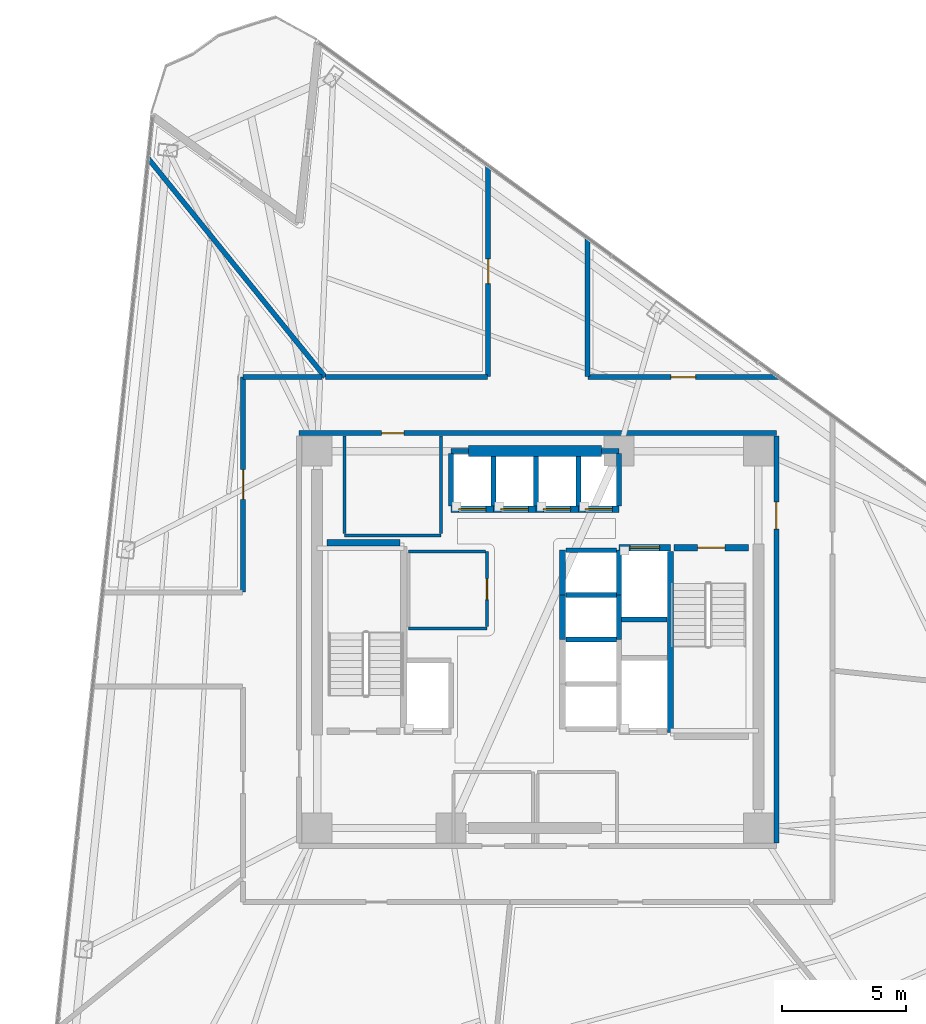
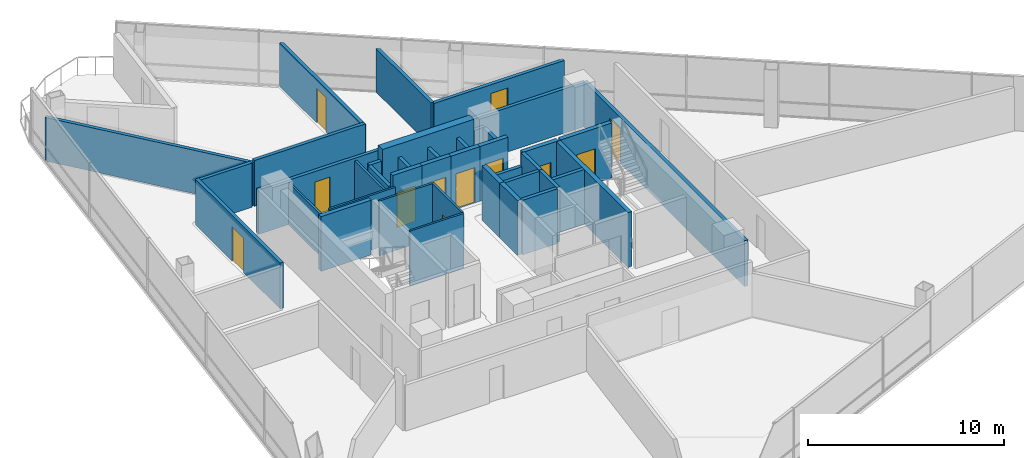
# One storey, part 12 of 17: 39 walls, 12 doors, 12 openings.
"""IFC4 building model written with IfcOpenShell, lengths in metres."""

import ifcopenshell
import ifcopenshell.guid

model = None  # the IFC model being written
_history = None  # IfcOwnerHistory: only IFC2X3 demands one
_inside = {}  # id of a spatial element -> (the spatial element, [elements in it])
_under = {}  # id of a project, library or spatial element -> (it, [spatial elements below it])
_declared = {}  # id of a project -> (the project, [libraries it declares])
_typed = {}  # id of a type object -> (the type object, [elements of that type])
_made_of = {}  # id of a material, layer set ... -> (it, [elements and type objects made of it])


def new_model(schema):
    """Start an empty IFC model of exactly this schema.

    Asked for "IFC4X3", IfcOpenShell would pick the latest addendum, in which some entities
    have other attributes; the version numbers below select the first issue.
    IFC2X3 requires an IfcOwnerHistory on every rooted entity: one is made here for all.
    """
    global model, _history
    if schema == "IFC4X3":
        model = ifcopenshell.file(schema_version=(4, 3, 0, 0))
    else:
        model = ifcopenshell.file(schema=schema)
    _inside.clear()
    _under.clear()
    _declared.clear()
    _typed.clear()
    _made_of.clear()
    _history = None
    if model.schema == "IFC2X3":
        org = make("IfcOrganization", Name="unknown")
        user = make(
            "IfcPersonAndOrganization",
            ThePerson=make("IfcPerson", FamilyName="unknown"),
            TheOrganization=org,
        )
        app = make(
            "IfcApplication",
            ApplicationDeveloper=org,
            Version="unknown",
            ApplicationFullName="unknown",
            ApplicationIdentifier="unknown",
        )
        _history = make(
            "IfcOwnerHistory",
            OwningUser=user,
            OwningApplication=app,
            ChangeAction="ADDED",
            CreationDate=0,
        )
    return model


def make(cls, **values):
    """One entity of the class cls with the attributes given. An attribute that is None is left unset."""
    return model.create_entity(
        cls, **{name: value for name, value in values.items() if value is not None}
    )


def rooted(cls, **values):
    """An entity with a GlobalId (a new one), such as an element, a storey or a relation."""
    return make(cls, GlobalId=ifcopenshell.guid.new(), OwnerHistory=_history, **values)


def si_unit(unit_type, name, prefix=None):
    """IfcSIUnit, for example si_unit("LENGTHUNIT", "METRE", prefix="MILLI")."""
    return make("IfcSIUnit", UnitType=unit_type, Prefix=prefix, Name=name)


def assignment(units):
    """IfcUnitAssignment: the units of a project."""
    return None if units is None else make("IfcUnitAssignment", Units=units)


def point(xyz):
    """IfcCartesianPoint."""
    return None if xyz is None else make("IfcCartesianPoint", Coordinates=xyz)


def direction(xyz):
    """IfcDirection."""
    return None if xyz is None else make("IfcDirection", DirectionRatios=xyz)


def frame(location, z_axis=None, x_axis=None):
    """IfcAxis2Placement3D, a coordinate frame: its origin and axes. An axis left out is left unset."""
    return make(
        "IfcAxis2Placement3D",
        Location=point(location),
        Axis=direction(z_axis),
        RefDirection=direction(x_axis),
    )


def frame_2d(location, x_axis=None):
    """IfcAxis2Placement2D, a coordinate frame in the plane: its origin and x axis."""
    return make(
        "IfcAxis2Placement2D", Location=point(location), RefDirection=direction(x_axis)
    )


def origin():
    """The frame at (0, 0, 0) with its axes left unset."""
    return frame((0.0, 0.0, 0.0))


def place(relative_to, where):
    """IfcLocalPlacement: puts the frame where relative to a parent placement (None: the world)."""
    return make(
        "IfcLocalPlacement", PlacementRelTo=relative_to, RelativePlacement=where
    )


def context(
    kind, dimensions, precision=None, world=None, true_north=None, identifier=None
):
    """IfcGeometricRepresentationContext, for example the 3D "Model" context."""
    return make(
        "IfcGeometricRepresentationContext",
        ContextIdentifier=identifier,
        ContextType=kind,
        CoordinateSpaceDimension=dimensions,
        Precision=precision,
        WorldCoordinateSystem=world,
        TrueNorth=true_north,
    )


def subcontext(parent, identifier, kind, view, scale=None):
    """IfcGeometricRepresentationSubContext, for example "Body" below "Model"."""
    return make(
        "IfcGeometricRepresentationSubContext",
        ContextIdentifier=identifier,
        ContextType=kind,
        ParentContext=parent,
        TargetScale=scale,
        TargetView=view,
    )


def project(units=None, contexts=None):
    """IfcProject with its units and contexts."""
    return rooted(
        "IfcProject",
        Name="project",
        RepresentationContexts=contexts,
        UnitsInContext=assignment(units),
    )


def spatial(cls, under=None, at=None, **own):
    """A site, building, storey or space (cls), placed at a placement, below another one or the project."""
    s = rooted(cls, ObjectPlacement=at, **own)
    if under is not None:
        _under.setdefault(under.id(), (under, []))[1].append(s)
    return s


def profile(cls, at=None, kind="AREA", **sizes):
    """A parametric profile (cls). Its sizes go by their IFC names, for example OverallWidth=200.0."""
    return make(cls, ProfileType=kind, Position=at, **sizes)


def rectangle(**sizes):
    """IfcRectangleProfileDef."""
    return profile("IfcRectangleProfileDef", **sizes)


def extrude(swept, where, along, depth):
    """IfcExtrudedAreaSolid: the profile swept, set in the frame where, extruded along a direction by depth."""
    return make(
        "IfcExtrudedAreaSolid",
        SweptArea=swept,
        Position=where,
        ExtrudedDirection=direction(along),
        Depth=depth,
    )


def shape(context_of_items, identifier, shape_type, items):
    """IfcShapeRepresentation: the items that make up one representation, for example the "Body"."""
    return make(
        "IfcShapeRepresentation",
        ContextOfItems=context_of_items,
        RepresentationIdentifier=identifier,
        RepresentationType=shape_type,
        Items=items,
    )


def material(Name=None, Category=None):
    """IfcMaterial."""
    return make("IfcMaterial", Name=Name, Category=Category)


def layer(
    of_material, thickness, ventilated=None, Name=None, Category=None, Priority=None
):
    """IfcMaterialLayer: one layer of a wall or slab, of a material (None: an air gap)."""
    return make(
        "IfcMaterialLayer",
        Material=of_material,
        LayerThickness=thickness,
        IsVentilated=ventilated,
        Name=Name,
        Category=Category,
        Priority=Priority,
    )


def layer_set(layers, Name=None):
    """IfcMaterialLayerSet."""
    return make("IfcMaterialLayerSet", MaterialLayers=layers, LayerSetName=Name)


def made_of(thing, what):
    """Note that an element or type object is made of a material, layer set ...; save() writes the relation."""
    if what is not None:
        _made_of.setdefault(what.id(), (what, []))[1].append(thing)
    return thing


def type_object(cls, material=None, **own):
    """A type object (cls), such as IfcWallType, which elements share."""
    return made_of(rooted(cls, **own), material)


def element(
    cls,
    number,
    at=None,
    inside=None,
    cuts=None,
    type_object=None,
    material=None,
    context=None,
    identifier="Body",
    shape_type=None,
    held_by="IfcProductDefinitionShape",
    body=None,
    shapes=None,
    **own,
):
    """One element of the class cls, such as IfcWall. Its Tag is "e" and its number.

    at: its placement. inside: the storey or other place that contains it. cuts: it is an
    opening in that element (IfcRelVoidsElement). A single representation is given by context,
    identifier, shape_type and body (its items); several are given by shapes. held_by: the class
    of the entity that holds the representations. save() writes the other relations.
    """
    e = rooted(cls, Tag="e%d" % number, ObjectPlacement=at, **own)
    if body is not None:
        shapes = [shape(context, identifier, shape_type, body)]
    if shapes is not None:
        e.Representation = make(held_by, Representations=shapes)
    if inside is not None:
        _inside.setdefault(inside.id(), (inside, []))[1].append(e)
    if cuts is not None:
        rooted(
            "IfcRelVoidsElement", RelatingBuildingElement=cuts, RelatedOpeningElement=e
        )
    if type_object is not None:
        _typed.setdefault(type_object.id(), (type_object, []))[1].append(e)
    return made_of(e, material)


def fill(opening, filler):
    """IfcRelFillsElement: the door or window that sits in an opening."""
    return rooted(
        "IfcRelFillsElement",
        RelatingOpeningElement=opening,
        RelatedBuildingElement=filler,
    )


def aggregate(whole, parts):
    """IfcRelAggregates: a whole, such as a stair, and the parts it consists of."""
    return rooted("IfcRelAggregates", RelatingObject=whole, RelatedObjects=parts)


def save(model, path):
    """Write the relations noted so far, then the file.

    IfcRelAggregates (storeys below a building ...), IfcRelContainedInSpatialStructure (elements
    in a storey), IfcRelDefinesByType, IfcRelAssociatesMaterial and IfcRelDeclares: one each for
    every whole, place, type object, material and project.
    """
    for whole, parts in _under.values():
        aggregate(whole, parts)
    for where, things in _inside.values():
        rooted(
            "IfcRelContainedInSpatialStructure",
            RelatedElements=things,
            RelatingStructure=where,
        )
    for kind, things in _typed.values():
        rooted("IfcRelDefinesByType", RelatedObjects=things, RelatingType=kind)
    for what, things in _made_of.values():
        rooted("IfcRelAssociatesMaterial", RelatedObjects=things, RelatingMaterial=what)
    for by, libraries in _declared.values():
        rooted("IfcRelDeclares", RelatingContext=by, RelatedDefinitions=libraries)
    model.write(path)


model = new_model("IFC4")

# Units and contexts
model_context = context("Model", 3, precision=1e-05, world=origin(), true_north=direction((0.0, 1.0)))
body_context = subcontext(model_context, "Body", "Model", "MODEL_VIEW")
ifc_project = project(units=[si_unit("LENGTHUNIT", "METRE"), si_unit("AREAUNIT", "SQUARE_METRE"), si_unit("VOLUMEUNIT", "CUBIC_METRE"), si_unit("PLANEANGLEUNIT", "RADIAN"), si_unit("MASSUNIT", "GRAM", prefix="KILO")], contexts=[model_context])

# Site, building, storey
site_placement = place(None, origin())
site = spatial("IfcSite", under=ifc_project, at=site_placement, CompositionType="ELEMENT")
building_placement = place(site_placement, origin())
building = spatial("IfcBuilding", under=site, at=building_placement, Name="Tharavind Bronze Gate", CompositionType="ELEMENT")
storey_placement = place(building_placement, frame((0.0, 0.0, 119.64990234375)))
storey = spatial("IfcBuildingStorey", under=building, at=storey_placement, Name="L30", CompositionType="ELEMENT", Elevation=119.64990234375)

# Wall, opening, door
ifc_material_1 = material(Name="Aerated Concrete Block", Category="concrete")
ifc_layer_1 = layer(ifc_material_1, 0.199951171875)
ifc_layer_set_1 = layer_set([ifc_layer_1], Name="Aerated Concrete Block")
wall_type_1 = type_object("IfcWallType", Name="FIRE RATED PARTITION 200", PredefinedType="PARTITIONING", material=ifc_layer_set_1)
wall_1_placement = place(storey_placement, frame((9.6201171875, 8.320068359375, 0.0), z_axis=(0.0, 0.0, 1.0), x_axis=(-1.0, 0.0, 0.0)))
wall_1 = element("IfcWall", 1, at=wall_1_placement, inside=storey, type_object=wall_type_1, Name="L30 north core corridor wall", PredefinedType="PARTITIONING", context=body_context, shape_type="SweptSolid", body=[
    extrude(rectangle(XDim=19.240234375, YDim=0.199951171875, at=frame_2d((9.6201171875, 0.0))), origin(), (0.0, 0.0, 1.0), 2.755126953125),
])
opening_1_placement = place(wall_1_placement, frame((15.02001953125, 0.0, 0.0)))
opening_1 = element("IfcOpeningElement", 2, at=opening_1_placement, cuts=wall_1, Name="Opening ID07", PredefinedType="OPENING", context=body_context, shape_type="SweptSolid", body=[
    extrude(rectangle(XDim=0.89990234375, YDim=2.10009765625, at=frame_2d((0.449951171875, 1.050048828125))), frame((0.0, 0.11009765625, 0.0), z_axis=(0.0, -1.0, 0.0), x_axis=(1.0, 0.0, 0.0)), (0.0, 0.0, 1.0), 0.219951171875),
])
ifc_material_2 = material(Name="Galvanised Fire Steel", Category="steel")
door_type_1 = type_object("IfcDoorType", Name="PLANT AND RISER FIRE DOOR 900X2100", OperationType="SINGLE_SWING_LEFT", PredefinedType="DOOR", material=ifc_material_2)
door_1_placement = place(opening_1_placement, frame((0.89990234375, 0.0, 0.0), z_axis=(0.0, 0.0, 1.0), x_axis=(-1.0, 0.0, 0.0)))
door_1 = element("IfcDoor", 3, at=door_1_placement, inside=storey, type_object=door_type_1, Name="L30 Electrical Switch Room fire door", OperationType="SINGLE_SWING_LEFT", OverallHeight=2.10009765625, OverallWidth=0.89990234375, PredefinedType="DOOR", context=body_context, shape_type="SweptSolid", body=[
    extrude(rectangle(XDim=0.89990234375, YDim=2.10009765625, at=frame_2d((0.449951171875, 1.050048828125))), frame((0.0, 0.02490234375, 0.0), z_axis=(0.0, -1.0, 0.0), x_axis=(1.0, 0.0, 0.0)), (0.0, 0.0, 1.0), 0.050048828125),
])
fill(opening_1, door_1)

wall_2_placement = place(storey_placement, frame((9.6201171875, -8.199951171875, 0.0), z_axis=(0.0, 0.0, 1.0), x_axis=(0.0, 1.0, 0.0)))
wall_2 = element("IfcWall", 4, at=wall_2_placement, inside=storey, type_object=wall_type_1, Name="L30 east core corridor wall", PredefinedType="PARTITIONING", context=body_context, shape_type="SweptSolid", body=[
    extrude(rectangle(XDim=16.39990234375, YDim=0.199951171875, at=frame_2d((8.199951171875, 0.0))), origin(), (0.0, 0.0, 1.0), 2.85498046875),
])
opening_2_placement = place(wall_2_placement, frame((12.64990234375, 0.0, 0.0)))
opening_2 = element("IfcOpeningElement", 5, at=opening_2_placement, cuts=wall_2, Name="Opening ID01", PredefinedType="OPENING", context=body_context, shape_type="SweptSolid", body=[
    extrude(rectangle(XDim=1.10009765625, YDim=2.14990234375, at=frame_2d((0.550048828125, 1.074951171875))), frame((0.0, 0.11009765625, 0.0), z_axis=(0.0, -1.0, 0.0), x_axis=(1.0, 0.0, 0.0)), (0.0, 0.0, 1.0), 0.219951171875),
])
ifc_material_3 = material(Name="Fire-Rated Steel", Category="steel")
door_type_2 = type_object("IfcDoorType", Name="STAIR CORE FIRE DOOR 1100X2150", OperationType="SINGLE_SWING_LEFT", PredefinedType="DOOR", material=ifc_material_3)
door_2_placement = place(opening_2_placement, frame((1.10009765625, 0.0, 0.0), z_axis=(0.0, 0.0, 1.0), x_axis=(-1.0, 0.0, 0.0)))
door_2 = element("IfcDoor", 6, at=door_2_placement, inside=storey, type_object=door_type_2, Name="L30 north east stair lobby fire door", OperationType="SINGLE_SWING_LEFT", OverallHeight=2.14990234375, OverallWidth=1.10009765625, PredefinedType="DOOR", context=body_context, shape_type="SweptSolid", body=[
    extrude(rectangle(XDim=1.10009765625, YDim=2.14990234375, at=frame_2d((0.550048828125, 1.074951171875))), frame((0.0, 0.02490234375, 0.0), z_axis=(0.0, -1.0, 0.0), x_axis=(1.0, 0.0, 0.0)), (0.0, 0.0, 1.0), 0.050048828125),
])
fill(opening_2, door_2)

wall_3_placement = place(storey_placement, frame((9.7099609375, 10.580078125, 0.0), z_axis=(0.0, 0.0, 1.0), x_axis=(-1.0, 0.0, 0.0)))
wall_3 = element("IfcWall", 7, at=wall_3_placement, inside=storey, type_object=wall_type_1, Name="L30 Architecture Open Office partition", PredefinedType="PARTITIONING", context=body_context, shape_type="SweptSolid", body=[
    extrude(rectangle(XDim=7.68505859375, YDim=0.199951171875, at=frame_2d((3.842529296875, 0.0))), origin(), (0.0, 0.0, 1.0), 2.705078125),
])
opening_3_placement = place(wall_3_placement, frame((3.342041015625, 0.0, 0.0)))
opening_3 = element("IfcOpeningElement", 8, at=opening_3_placement, cuts=wall_3, Name="Opening ID04", PredefinedType="OPENING", context=body_context, shape_type="SweptSolid", body=[
    extrude(rectangle(XDim=1.0, YDim=2.14990234375, at=frame_2d((0.5, 1.074951171875))), frame((0.0, 0.11009765625, 0.0), z_axis=(0.0, -1.0, 0.0), x_axis=(1.0, 0.0, 0.0)), (0.0, 0.0, 1.0), 0.219951171875),
])
ifc_material_4 = material(Name="Bronze Framed Acoustic Timber", Category="wood")
door_type_3 = type_object("IfcDoorType", Name="OFFICE TENANCY DOOR 1000X2150", OperationType="SINGLE_SWING_RIGHT", PredefinedType="DOOR", material=ifc_material_4)
door_3_placement = place(opening_3_placement, origin())
door_3 = element("IfcDoor", 9, at=door_3_placement, inside=storey, type_object=door_type_3, Name="L30 Architecture Open Office door", OperationType="SINGLE_SWING_RIGHT", OverallHeight=2.14990234375, OverallWidth=1.0, PredefinedType="DOOR", context=body_context, shape_type="SweptSolid", body=[
    extrude(rectangle(XDim=1.0, YDim=2.14990234375, at=frame_2d((0.5, 1.074951171875))), frame((0.0, 0.02490234375, 0.0), z_axis=(0.0, -1.0, 0.0), x_axis=(1.0, 0.0, 0.0)), (0.0, 0.0, 1.0), 0.050048828125),
])
fill(opening_3, door_3)

# Wall
wall_4_placement = place(storey_placement, frame((2.0, 10.60498046875, 0.0), z_axis=(0.0, 0.0, 1.0), x_axis=(0.0, 1.0, 0.0)))
element("IfcWall", 10, at=wall_4_placement, inside=storey, type_object=wall_type_1, Name="L30 Architecture Open Office partition", PredefinedType="PARTITIONING", context=body_context, shape_type="SweptSolid", body=[
    extrude(rectangle(XDim=5.576416015625, YDim=0.199951171875, at=frame_2d((2.7880859375, 0.0))), origin(), (0.0, 0.0, 1.0), 2.705078125),
])

# Wall, opening, door
wall_5_placement = place(storey_placement, frame((-2.0, 19.087646484375, 0.0), z_axis=(0.0, 0.0, 1.0), x_axis=(0.0, -1.0, 0.0)))
wall_5 = element("IfcWall", 11, at=wall_5_placement, inside=storey, type_object=wall_type_1, Name="L30 Model Workshop Lab partition", PredefinedType="PARTITIONING", context=body_context, shape_type="SweptSolid", body=[
    extrude(rectangle(XDim=8.482666015625, YDim=0.199951171875, at=frame_2d((4.2412109375, 0.0))), origin(), (0.0, 0.0, 1.0), 2.705078125),
])
opening_4_placement = place(wall_5_placement, frame((3.740966796875, 0.0, 0.0)))
opening_4 = element("IfcOpeningElement", 12, at=opening_4_placement, cuts=wall_5, Name="Opening ID04", PredefinedType="OPENING", context=body_context, shape_type="SweptSolid", body=[
    extrude(rectangle(XDim=1.0, YDim=2.14990234375, at=frame_2d((0.5, 1.074951171875))), frame((0.0, 0.11009765625, 0.0), z_axis=(0.0, -1.0, 0.0), x_axis=(1.0, 0.0, 0.0)), (0.0, 0.0, 1.0), 0.219951171875),
])
door_4_placement = place(opening_4_placement, origin())
door_4 = element("IfcDoor", 13, at=door_4_placement, inside=storey, type_object=door_type_3, Name="L30 Model Workshop Lab door", OperationType="SINGLE_SWING_RIGHT", OverallHeight=2.14990234375, OverallWidth=1.0, PredefinedType="DOOR", context=body_context, shape_type="SweptSolid", body=[
    extrude(rectangle(XDim=1.0, YDim=2.14990234375, at=frame_2d((0.5, 1.074951171875))), frame((0.0, 0.02490234375, 0.0), z_axis=(0.0, -1.0, 0.0), x_axis=(1.0, 0.0, 0.0)), (0.0, 0.0, 1.0), 0.050048828125),
])
fill(opening_4, door_4)

# Walls
wall_6_placement = place(storey_placement, frame((-2.02490234375, 10.580078125, 0.0), z_axis=(0.0, 0.0, 1.0), x_axis=(-1.0, 0.0, 0.0)))
element("IfcWall", 14, at=wall_6_placement, inside=storey, type_object=wall_type_1, Name="L30 Model Workshop Lab partition", PredefinedType="PARTITIONING", context=body_context, shape_type="SweptSolid", body=[
    extrude(rectangle(XDim=6.53076171875, YDim=0.199951171875, at=frame_2d((3.265380859375, 0.0))), origin(), (0.0, 0.0, 1.0), 2.85498046875),
])
wall_7_placement = place(storey_placement, frame((-8.574951171875, 10.58935546875, 0.0), z_axis=(0.0, 0.0, 1.0), x_axis=(-0.629325384735, 0.777141917624, 0.0)))
element("IfcWall", 15, at=wall_7_placement, inside=storey, type_object=wall_type_1, Name="L30 Model Workshop Lab partition", PredefinedType="PARTITIONING", context=body_context, shape_type="SweptSolid", body=[
    extrude(rectangle(XDim=11.322021484375, YDim=0.199951171875, at=frame_2d((5.6611328125, 0.0))), origin(), (0.0, 0.0, 1.0), 2.705078125),
])
wall_8_placement = place(storey_placement, frame((-8.70263671875, 10.580078125, 0.0), z_axis=(0.0, 0.0, 1.0), x_axis=(-1.0, 0.0, 0.0)))
element("IfcWall", 16, at=wall_8_placement, inside=storey, type_object=wall_type_1, Name="L30 Pin-Up Review Room partition", PredefinedType="PARTITIONING", context=body_context, shape_type="SweptSolid", body=[
    extrude(rectangle(XDim=3.1767578125, YDim=0.199951171875, at=frame_2d((1.58837890625, 0.0))), origin(), (0.0, 0.0, 1.0), 2.755126953125),
])

# Wall, opening, door
wall_9_placement = place(storey_placement, frame((-11.8798828125, 10.579345703125, 0.0), z_axis=(0.0, 0.0, 1.0), x_axis=(0.0, -1.0, 0.0)))
wall_9 = element("IfcWall", 17, at=wall_9_placement, inside=storey, type_object=wall_type_1, Name="L30 Pin-Up Review Room partition", PredefinedType="PARTITIONING", context=body_context, shape_type="SweptSolid", body=[
    extrude(rectangle(XDim=8.654296875, YDim=0.199951171875, at=frame_2d((4.3271484375, 0.0))), origin(), (0.0, 0.0, 1.0), 2.85498046875),
])
opening_5_placement = place(wall_9_placement, frame((3.72705078125, 0.0, 0.0)))
opening_5 = element("IfcOpeningElement", 18, at=opening_5_placement, cuts=wall_9, Name="Opening ID05", PredefinedType="OPENING", context=body_context, shape_type="SweptSolid", body=[
    extrude(rectangle(XDim=1.199951171875, YDim=2.14990234375, at=frame_2d((0.60009765625, 1.074951171875))), frame((0.0, 0.11009765625, 0.0), z_axis=(0.0, -1.0, 0.0), x_axis=(1.0, 0.0, 0.0)), (0.0, 0.0, 1.0), 0.219951171875),
])
ifc_material_5 = material(Name="Acoustic Laminated Glass", Category="glass")
door_type_4 = type_object("IfcDoorType", Name="MEETING ROOM GLAZED DOOR 1200X2150", OperationType="SINGLE_SWING_LEFT", PredefinedType="DOOR", material=ifc_material_5)
door_5_placement = place(opening_5_placement, origin())
door_5 = element("IfcDoor", 19, at=door_5_placement, inside=storey, type_object=door_type_4, Name="L30 Pin-Up Review Room door", OperationType="SINGLE_SWING_LEFT", OverallHeight=2.14990234375, OverallWidth=1.199951171875, PredefinedType="DOOR", context=body_context, shape_type="SweptSolid", body=[
    extrude(rectangle(XDim=1.199951171875, YDim=2.14990234375, at=frame_2d((0.60009765625, 1.074951171875))), frame((0.0, 0.02490234375, 0.0), z_axis=(0.0, -1.0, 0.0), x_axis=(1.0, 0.0, 0.0)), (0.0, 0.0, 1.0), 0.050048828125),
])
fill(opening_5, door_5)

# Wall
ifc_material_6 = material(Name="Metal Stud Gypsum Partition", Category="gypsum")
ifc_layer_2 = layer(ifc_material_6, 0.1201171875)
ifc_layer_set_2 = layer_set([ifc_layer_2], Name="Metal Stud Gypsum Partition")
wall_type_2 = type_object("IfcWallType", Name="INTERIOR PARTITION WALL 120", PredefinedType="PARTITIONING", material=ifc_layer_set_2)
wall_10_placement = place(storey_placement, frame((-5.219970703125, 0.449951171875, 0.0), z_axis=(0.0, 0.0, 1.0), x_axis=(1.0, 0.0, 0.0)))
element("IfcWall", 20, at=wall_10_placement, inside=storey, type_object=wall_type_2, Name="L30 Electrical & Telecom Store partition 1", PredefinedType="PARTITIONING", context=body_context, shape_type="SweptSolid", body=[
    extrude(rectangle(XDim=3.169921875, YDim=0.1201171875, at=frame_2d((1.5849609375, 0.0))), origin(), (0.0, 0.0, 1.0), 3.41015625),
])

# Wall, opening, door
wall_11_placement = place(storey_placement, frame((-2.050048828125, 0.514892578125, 0.0), z_axis=(0.0, 0.0, 1.0), x_axis=(0.0, 1.0, 0.0)))
wall_11 = element("IfcWall", 21, at=wall_11_placement, inside=storey, type_object=wall_type_2, Name="L30 Electrical & Telecom Store partition 2", PredefinedType="PARTITIONING", context=body_context, shape_type="SweptSolid", body=[
    extrude(rectangle(XDim=3.03515625, YDim=0.1201171875, at=frame_2d((1.517578125, 0.0))), origin(), (0.0, 0.0, 1.0), 3.41015625),
])
opening_6_placement = place(wall_11_placement, frame((1.092041015625, 0.0, 0.0)))
opening_6 = element("IfcOpeningElement", 22, at=opening_6_placement, cuts=wall_11, Name="Opening ID06", PredefinedType="OPENING", context=body_context, shape_type="SweptSolid", body=[
    extrude(rectangle(XDim=0.85009765625, YDim=2.10009765625, at=frame_2d((0.425048828125, 1.050048828125))), frame((0.0, 0.07005859375, 0.0), z_axis=(0.0, -1.0, 0.0), x_axis=(1.0, 0.0, 0.0)), (0.0, 0.0, 1.0), 0.1401171875),
])
ifc_material_7 = material(Name="Moisture-Resistant Timber", Category="wood")
door_type_5 = type_object("IfcDoorType", Name="BATHROOM PRIVACY DOOR 850X2100", OperationType="SINGLE_SWING_RIGHT", PredefinedType="DOOR", material=ifc_material_7)
door_6_placement = place(opening_6_placement, frame((0.85009765625, 0.0, 0.0), z_axis=(0.0, 0.0, 1.0), x_axis=(-1.0, 0.0, 0.0)))
door_6 = element("IfcDoor", 23, at=door_6_placement, inside=storey, type_object=door_type_5, Name="L30 Electrical & Telecom Store door", OperationType="SINGLE_SWING_RIGHT", OverallHeight=2.10009765625, OverallWidth=0.85009765625, PredefinedType="DOOR", context=body_context, shape_type="SweptSolid", body=[
    extrude(rectangle(XDim=0.85009765625, YDim=2.10009765625, at=frame_2d((0.425048828125, 1.050048828125))), frame((0.0, 0.02490234375, 0.0), z_axis=(0.0, -1.0, 0.0), x_axis=(1.0, 0.0, 0.0)), (0.0, 0.0, 1.0), 0.050048828125),
])
fill(opening_6, door_6)

# Walls
wall_12_placement = place(storey_placement, frame((-2.114990234375, 3.550048828125, 0.0), z_axis=(0.0, 0.0, 1.0), x_axis=(-1.0, 0.0, 0.0)))
element("IfcWall", 24, at=wall_12_placement, inside=storey, type_object=wall_type_2, Name="L30 Electrical & Telecom Store partition 3", PredefinedType="PARTITIONING", context=body_context, shape_type="SweptSolid", body=[
    extrude(rectangle(XDim=3.10498046875, YDim=0.1201171875, at=frame_2d((1.552490234375, 0.0))), origin(), (0.0, 0.0, 1.0), 3.41015625),
])
wall_13_placement = place(storey_placement, frame((-7.800048828125, 4.199951171875, 0.0), z_axis=(0.0, 0.0, 1.0), x_axis=(1.0, 0.0, 0.0)))
element("IfcWall", 25, at=wall_13_placement, inside=storey, type_object=wall_type_2, Name="L30 Electrical Switch Room partition 1", PredefinedType="PARTITIONING", context=body_context, shape_type="SweptSolid", body=[
    extrude(rectangle(XDim=3.900146484375, YDim=0.1201171875, at=frame_2d((1.9501953125, 0.0))), origin(), (0.0, 0.0, 1.0), 3.41015625),
])
for number, where, z_axis, x_axis, name in (
    (26, (-3.89990234375, 4.264892578125, 0.0), (0.0, 0.0, 1.0), (0.0, 1.0, 0.0), "L30 Electrical Switch Room partition 2"),
    (27, (-7.800048828125, 8.215087890625, 0.0), (0.0, 0.0, 1.0), (0.0, -1.0, 0.0), "L30 Electrical Switch Room partition 4"),
):
    element("IfcWall", number, at=place(storey_placement, frame(where, z_axis=z_axis, x_axis=x_axis)), inside=storey, type_object=wall_type_2, Name=name, PredefinedType="PARTITIONING", context=body_context, shape_type="SweptSolid", body=[
        extrude(rectangle(XDim=3.9501953125, YDim=0.1201171875, at=frame_2d((1.97509765625, 0.0))), origin(), (0.0, 0.0, 1.0), 2.60498046875),
    ])
ifc_material_8 = material(Name="Concrete C50/60", Category="concrete")
ifc_layer_3 = layer(ifc_material_8, 0.25)
ifc_layer_set_3 = layer_set([ifc_layer_3], Name="Concrete C50/60")
wall_type_3 = type_object("IfcWallType", Name="RC CORE SHEAR WALL 250", PredefinedType="SHEAR", material=ifc_layer_set_3)
wall_14_placement = place(storey_placement, frame((-8.5, 3.89990234375, 0.0), z_axis=(0.0, 0.0, 1.0), x_axis=(1.0, 0.0, 0.0)))
element("IfcWall", 28, at=wall_14_placement, inside=storey, type_object=wall_type_3, Name="L30 ST1 shaft north wall", PredefinedType="SHEAR", context=body_context, shape_type="SweptSolid", body=[
    extrude(rectangle(XDim=2.949951171875, YDim=0.25, at=frame_2d((1.47509765625, 0.0))), origin(), (0.0, 0.0, 1.0), 3.41015625),
])
wall_15_placement = place(storey_placement, frame((5.35009765625, -3.75, 0.0), z_axis=(0.0, 0.0, 1.0), x_axis=(0.0, 1.0, 0.0)))
element("IfcWall", 29, at=wall_15_placement, inside=storey, type_object=wall_type_3, Name="L30 ST2 shaft west wall", PredefinedType="SHEAR", context=body_context, shape_type="SweptSolid", body=[
    extrude(rectangle(XDim=7.300048828125, YDim=0.25, at=frame_2d((3.64990234375, 0.0))), origin(), (0.0, 0.0, 1.0), 3.41015625),
])

# Wall, opening, door
wall_16_placement = place(storey_placement, frame((5.5, 3.699951171875, 0.0), z_axis=(0.0, 0.0, 1.0), x_axis=(1.0, 0.0, 0.0)))
wall_16 = element("IfcWall", 30, at=wall_16_placement, inside=storey, type_object=wall_type_3, Name="L30 ST2 shaft north wall", PredefinedType="SHEAR", context=body_context, shape_type="SweptSolid", body=[
    extrude(rectangle(XDim=3.0, YDim=0.25, at=frame_2d((1.5, 0.0))), origin(), (0.0, 0.0, 1.0), 3.41015625),
])
opening_7_placement = place(wall_16_placement, frame((0.949951171875, 0.0, 0.0)))
opening_7 = element("IfcOpeningElement", 31, at=opening_7_placement, cuts=wall_16, Name="Opening ID01", PredefinedType="OPENING", context=body_context, shape_type="SweptSolid", body=[
    extrude(rectangle(XDim=1.10009765625, YDim=2.14990234375, at=frame_2d((0.550048828125, 1.074951171875))), frame((0.0, 0.135, 0.0), z_axis=(0.0, -1.0, 0.0), x_axis=(1.0, 0.0, 0.0)), (0.0, 0.0, 1.0), 0.27),
])
door_7_placement = place(opening_7_placement, frame((1.10009765625, 0.0, 0.0), z_axis=(0.0, 0.0, 1.0), x_axis=(-1.0, 0.0, 0.0)))
door_7 = element("IfcDoor", 32, at=door_7_placement, inside=storey, type_object=door_type_2, Name="L30 exit stair ST2 fire door", OperationType="SINGLE_SWING_LEFT", OverallHeight=2.14990234375, OverallWidth=1.10009765625, PredefinedType="DOOR", context=body_context, shape_type="SweptSolid", body=[
    extrude(rectangle(XDim=1.10009765625, YDim=2.14990234375, at=frame_2d((0.550048828125, 1.074951171875))), frame((0.0, 0.02490234375, 0.0), z_axis=(0.0, -1.0, 0.0), x_axis=(1.0, 0.0, 0.0)), (0.0, 0.0, 1.0), 0.050048828125),
])
fill(opening_7, door_7)

wall_17_placement = place(storey_placement, frame((-3.5, 5.25, 0.0), z_axis=(0.0, 0.0, 1.0), x_axis=(1.0, 0.0, 0.0)))
wall_17 = element("IfcWall", 33, at=wall_17_placement, inside=storey, type_object=wall_type_3, Name="L30 lift PL5 shaft front wall", PredefinedType="SHEAR", context=body_context, shape_type="SweptSolid", body=[
    extrude(rectangle(XDim=1.71240234375, YDim=0.25, at=frame_2d((0.856201171875, 0.0))), origin(), (0.0, 0.0, 1.0), 3.41015625),
])
opening_8_placement = place(wall_17_placement, frame((0.305908203125, 0.0, 0.0)))
opening_8 = element("IfcOpeningElement", 34, at=opening_8_placement, cuts=wall_17, Name="Opening LD01", PredefinedType="OPENING", context=body_context, shape_type="SweptSolid", body=[
    extrude(rectangle(XDim=1.10009765625, YDim=2.199951171875, at=frame_2d((0.550048828125, 1.10009765625))), frame((0.0, 0.135, 0.0), z_axis=(0.0, -1.0, 0.0), x_axis=(1.0, 0.0, 0.0)), (0.0, 0.0, 1.0), 0.27),
])
ifc_material_9 = material(Name="Brushed Bronze Stainless Steel", Category="steel")
door_type_6 = type_object("IfcDoorType", Name="LIFT LANDING SLIDING DOOR 1100X2200", OperationType="SLIDING_TO_LEFT", PredefinedType="DOOR", material=ifc_material_9)
door_8_placement = place(opening_8_placement, origin())
door_8 = element("IfcDoor", 35, at=door_8_placement, inside=storey, type_object=door_type_6, Name="L30 lift PL5 sliding landing door", OperationType="SLIDING_TO_LEFT", OverallHeight=2.199951171875, OverallWidth=1.10009765625, PredefinedType="DOOR", context=body_context, shape_type="SweptSolid", body=[
    extrude(rectangle(XDim=1.10009765625, YDim=2.199951171875, at=frame_2d((0.550048828125, 1.10009765625))), frame((0.0, 0.02490234375, 0.0), z_axis=(0.0, -1.0, 0.0), x_axis=(1.0, 0.0, 0.0)), (0.0, 0.0, 1.0), 0.050048828125),
])
fill(opening_8, door_8)

wall_18_placement = place(storey_placement, frame((-1.78759765625, 5.25, 0.0), z_axis=(0.0, 0.0, 1.0), x_axis=(1.0, 0.0, 0.0)))
wall_18 = element("IfcWall", 36, at=wall_18_placement, inside=storey, type_object=wall_type_3, Name="L30 lift PL6 shaft front wall", PredefinedType="SHEAR", context=body_context, shape_type="SweptSolid", body=[
    extrude(rectangle(XDim=1.712646484375, YDim=0.25, at=frame_2d((0.8564453125, 0.0))), origin(), (0.0, 0.0, 1.0), 3.41015625),
])
opening_9_placement = place(wall_18_placement, frame((0.305908203125, 0.0, 0.0)))
opening_9 = element("IfcOpeningElement", 37, at=opening_9_placement, cuts=wall_18, Name="Opening LD01", PredefinedType="OPENING", context=body_context, shape_type="SweptSolid", body=[
    extrude(rectangle(XDim=1.10009765625, YDim=2.199951171875, at=frame_2d((0.550048828125, 1.10009765625))), frame((0.0, 0.135, 0.0), z_axis=(0.0, -1.0, 0.0), x_axis=(1.0, 0.0, 0.0)), (0.0, 0.0, 1.0), 0.27),
])
door_9_placement = place(opening_9_placement, origin())
door_9 = element("IfcDoor", 38, at=door_9_placement, inside=storey, type_object=door_type_6, Name="L30 lift PL6 sliding landing door", OperationType="SLIDING_TO_LEFT", OverallHeight=2.199951171875, OverallWidth=1.10009765625, PredefinedType="DOOR", context=body_context, shape_type="SweptSolid", body=[
    extrude(rectangle(XDim=1.10009765625, YDim=2.199951171875, at=frame_2d((0.550048828125, 1.10009765625))), frame((0.0, 0.02490234375, 0.0), z_axis=(0.0, -1.0, 0.0), x_axis=(1.0, 0.0, 0.0)), (0.0, 0.0, 1.0), 0.050048828125),
])
fill(opening_9, door_9)

wall_19_placement = place(storey_placement, frame((-0.074951171875, 5.25, 0.0), z_axis=(0.0, 0.0, 1.0), x_axis=(1.0, 0.0, 0.0)))
wall_19 = element("IfcWall", 39, at=wall_19_placement, inside=storey, type_object=wall_type_3, Name="L30 lift PL7 shaft front wall", PredefinedType="SHEAR", context=body_context, shape_type="SweptSolid", body=[
    extrude(rectangle(XDim=1.71240234375, YDim=0.25, at=frame_2d((0.856201171875, 0.0))), origin(), (0.0, 0.0, 1.0), 3.41015625),
])
opening_10_placement = place(wall_19_placement, frame((0.305908203125, 0.0, 0.0)))
opening_10 = element("IfcOpeningElement", 40, at=opening_10_placement, cuts=wall_19, Name="Opening LD01", PredefinedType="OPENING", context=body_context, shape_type="SweptSolid", body=[
    extrude(rectangle(XDim=1.10009765625, YDim=2.199951171875, at=frame_2d((0.550048828125, 1.10009765625))), frame((0.0, 0.135, 0.0), z_axis=(0.0, -1.0, 0.0), x_axis=(1.0, 0.0, 0.0)), (0.0, 0.0, 1.0), 0.27),
])
door_10_placement = place(opening_10_placement, origin())
door_10 = element("IfcDoor", 41, at=door_10_placement, inside=storey, type_object=door_type_6, Name="L30 lift PL7 sliding landing door", OperationType="SLIDING_TO_LEFT", OverallHeight=2.199951171875, OverallWidth=1.10009765625, PredefinedType="DOOR", context=body_context, shape_type="SweptSolid", body=[
    extrude(rectangle(XDim=1.10009765625, YDim=2.199951171875, at=frame_2d((0.550048828125, 1.10009765625))), frame((0.0, 0.02490234375, 0.0), z_axis=(0.0, -1.0, 0.0), x_axis=(1.0, 0.0, 0.0)), (0.0, 0.0, 1.0), 0.050048828125),
])
fill(opening_10, door_10)

wall_20_placement = place(storey_placement, frame((1.637451171875, 5.25, 0.0), z_axis=(0.0, 0.0, 1.0), x_axis=(1.0, 0.0, 0.0)))
wall_20 = element("IfcWall", 42, at=wall_20_placement, inside=storey, type_object=wall_type_3, Name="L30 lift PL8 shaft front wall", PredefinedType="SHEAR", context=body_context, shape_type="SweptSolid", body=[
    extrude(rectangle(XDim=1.642578125, YDim=0.25, at=frame_2d((0.8212890625, 0.0))), origin(), (0.0, 0.0, 1.0), 3.41015625),
])
opening_11_placement = place(wall_20_placement, frame((0.27099609375, 0.0, 0.0)))
opening_11 = element("IfcOpeningElement", 43, at=opening_11_placement, cuts=wall_20, Name="Opening LD01", PredefinedType="OPENING", context=body_context, shape_type="SweptSolid", body=[
    extrude(rectangle(XDim=1.10009765625, YDim=2.199951171875, at=frame_2d((0.550048828125, 1.10009765625))), frame((0.0, 0.135, 0.0), z_axis=(0.0, -1.0, 0.0), x_axis=(1.0, 0.0, 0.0)), (0.0, 0.0, 1.0), 0.27),
])
door_11_placement = place(opening_11_placement, origin())
door_11 = element("IfcDoor", 44, at=door_11_placement, inside=storey, type_object=door_type_6, Name="L30 lift PL8 sliding landing door", OperationType="SLIDING_TO_LEFT", OverallHeight=2.199951171875, OverallWidth=1.10009765625, PredefinedType="DOOR", context=body_context, shape_type="SweptSolid", body=[
    extrude(rectangle(XDim=1.10009765625, YDim=2.199951171875, at=frame_2d((0.550048828125, 1.10009765625))), frame((0.0, 0.02490234375, 0.0), z_axis=(0.0, -1.0, 0.0), x_axis=(1.0, 0.0, 0.0)), (0.0, 0.0, 1.0), 0.050048828125),
])
fill(opening_11, door_11)

# Walls
for number, where, z_axis, x_axis, name in (
    (45, (1.0, 0.0, 0.0), (0.0, 0.0, 1.0), (0.0, 1.0, 0.0), "L30 lift PL11 shaft front wall"),
    (46, (1.0, 1.800048828125, 0.0), (0.0, 0.0, 1.0), (0.0, 1.0, 0.0), "L30 lift PL12 shaft front wall"),
):
    element("IfcWall", number, at=place(storey_placement, frame(where, z_axis=z_axis, x_axis=x_axis)), inside=storey, type_object=wall_type_3, Name=name, PredefinedType="SHEAR", context=body_context, shape_type="SweptSolid", body=[
        extrude(rectangle(XDim=1.800048828125, YDim=0.25, at=frame_2d((0.89990234375, 0.0))), origin(), (0.0, 0.0, 1.0), 3.41015625),
    ])

# Wall, opening, door
wall_21_placement = place(storey_placement, frame((3.280029296875, 3.699951171875, 0.0), z_axis=(0.0, 0.0, 1.0), x_axis=(1.0, 0.0, 0.0)))
wall_21 = element("IfcWall", 47, at=wall_21_placement, inside=storey, type_object=wall_type_3, Name="L30 lift FFL2 shaft front wall", PredefinedType="SHEAR", context=body_context, shape_type="SweptSolid", body=[
    extrude(rectangle(XDim=2.070068359375, YDim=0.25, at=frame_2d((1.03515625, 0.0))), origin(), (0.0, 0.0, 1.0), 3.41015625),
])
opening_12_placement = place(wall_21_placement, frame((0.43505859375, 0.0, 0.0)))
opening_12 = element("IfcOpeningElement", 48, at=opening_12_placement, cuts=wall_21, Name="Opening LD02", PredefinedType="OPENING", context=body_context, shape_type="SweptSolid", body=[
    extrude(rectangle(XDim=1.199951171875, YDim=2.199951171875, at=frame_2d((0.60009765625, 1.10009765625))), frame((0.0, 0.135, 0.0), z_axis=(0.0, -1.0, 0.0), x_axis=(1.0, 0.0, 0.0)), (0.0, 0.0, 1.0), 0.27),
])
ifc_material_10 = material(Name="Brushed Stainless Steel", Category="steel")
door_type_7 = type_object("IfcDoorType", Name="FIREFIGHTING LIFT LANDING DOOR 1200X2200", OperationType="SLIDING_TO_RIGHT", PredefinedType="DOOR", material=ifc_material_10)
door_12_placement = place(opening_12_placement, origin())
door_12 = element("IfcDoor", 49, at=door_12_placement, inside=storey, type_object=door_type_7, Name="L30 lift FFL2 sliding landing door", OperationType="SLIDING_TO_RIGHT", OverallHeight=2.199951171875, OverallWidth=1.199951171875, PredefinedType="DOOR", context=body_context, shape_type="SweptSolid", body=[
    extrude(rectangle(XDim=1.199951171875, YDim=2.199951171875, at=frame_2d((0.60009765625, 1.10009765625))), frame((0.0, 0.02490234375, 0.0), z_axis=(0.0, -1.0, 0.0), x_axis=(1.0, 0.0, 0.0)), (0.0, 0.0, 1.0), 0.050048828125),
])
fill(opening_12, door_12)

# Walls
ifc_material_11 = material(Name="Concrete C60/75", Category="concrete")
ifc_layer_4 = layer(ifc_material_11, 0.449951171875)
ifc_layer_set_4 = layer_set([ifc_layer_4], Name="Concrete C60/75")
wall_type_4 = type_object("IfcWallType", Name="RC CORE SHEAR WALL 450", PredefinedType="SHEAR", material=ifc_layer_set_4)
wall_22_placement = place(storey_placement, frame((-2.800048828125, 7.60009765625, 0.0), z_axis=(0.0, 0.0, 1.0), x_axis=(1.0, 0.0, 0.0)))
element("IfcWall", 50, at=wall_22_placement, inside=storey, type_object=wall_type_4, Name="L30 north core shear wall", PredefinedType="SHEAR", context=body_context, shape_type="SweptSolid", body=[
    extrude(rectangle(XDim=5.380126953125, YDim=0.449951171875, at=frame_2d((2.68994140625, 0.0))), origin(), (0.0, 0.0, 1.0), 3.41015625),
])
ifc_material_12 = material(Name="Concrete C40/50", Category="concrete")
ifc_layer_5 = layer(ifc_material_12, 0.199951171875)
ifc_layer_set_5 = layer_set([ifc_layer_5], Name="Concrete C40/50")
wall_type_5 = type_object("IfcWallType", Name="SHAFT ENCLOSURE WALL 200", PredefinedType="PARTITIONING", material=ifc_layer_set_5)
wall_23_placement = place(storey_placement, frame((-3.5, 7.60009765625, 0.0), z_axis=(0.0, 0.0, 1.0), x_axis=(1.0, 0.0, 0.0)))
element("IfcWall", 51, at=wall_23_placement, inside=storey, type_object=wall_type_5, Name="L30 lift PL5 shaft N enclosure wall", PredefinedType="PARTITIONING", context=body_context, shape_type="SweptSolid", body=[
    extrude(rectangle(XDim=0.699951171875, YDim=0.199951171875, at=frame_2d((0.35009765625, 0.0))), origin(), (0.0, 0.0, 1.0), 2.60498046875),
])
wall_24_placement = place(storey_placement, frame((-3.5, 5.3798828125, 0.0), z_axis=(0.0, 0.0, 1.0), x_axis=(0.0, 1.0, 0.0)))
element("IfcWall", 52, at=wall_24_placement, inside=storey, type_object=wall_type_5, Name="L30 lift PL5 shaft W enclosure wall", PredefinedType="PARTITIONING", context=body_context, shape_type="SweptSolid", body=[
    extrude(rectangle(XDim=2.115234375, YDim=0.199951171875, at=frame_2d((1.0576171875, 0.0))), origin(), (0.0, 0.0, 1.0), 2.60498046875),
])
for number, where, z_axis, x_axis, name in (
    (53, (-1.78759765625, 5.3798828125, 0.0), (0.0, 0.0, 1.0), (0.0, 1.0, 0.0), "L30 lift PL5 shaft E enclosure wall"),
    (54, (-0.074951171875, 5.3798828125, 0.0), (0.0, 0.0, 1.0), (0.0, 1.0, 0.0), "L30 lift PL6 shaft E enclosure wall"),
    (55, (1.637451171875, 5.3798828125, 0.0), (0.0, 0.0, 1.0), (0.0, 1.0, 0.0), "L30 lift PL7 shaft E enclosure wall"),
):
    element("IfcWall", number, at=place(storey_placement, frame(where, z_axis=z_axis, x_axis=x_axis)), inside=storey, type_object=wall_type_5, Name=name, PredefinedType="PARTITIONING", context=body_context, shape_type="SweptSolid", body=[
        extrude(rectangle(XDim=1.990234375, YDim=0.199951171875, at=frame_2d((0.9951171875, 0.0))), origin(), (0.0, 0.0, 1.0), 2.60498046875),
    ])
wall_25_placement = place(storey_placement, frame((2.580078125, 7.60009765625, 0.0), z_axis=(0.0, 0.0, 1.0), x_axis=(1.0, 0.0, 0.0)))
element("IfcWall", 56, at=wall_25_placement, inside=storey, type_object=wall_type_5, Name="L30 lift PL8 shaft N enclosure wall", PredefinedType="PARTITIONING", context=body_context, shape_type="SweptSolid", body=[
    extrude(rectangle(XDim=0.699951171875, YDim=0.199951171875, at=frame_2d((0.35009765625, 0.0))), origin(), (0.0, 0.0, 1.0), 2.60498046875),
])
wall_26_placement = place(storey_placement, frame((3.280029296875, 5.3798828125, 0.0), z_axis=(0.0, 0.0, 1.0), x_axis=(0.0, 1.0, 0.0)))
element("IfcWall", 57, at=wall_26_placement, inside=storey, type_object=wall_type_5, Name="L30 lift PL8 shaft E enclosure wall", PredefinedType="PARTITIONING", context=body_context, shape_type="SweptSolid", body=[
    extrude(rectangle(XDim=2.115234375, YDim=0.199951171875, at=frame_2d((1.0576171875, 0.0))), origin(), (0.0, 0.0, 1.0), 2.60498046875),
])
wall_27_placement = place(storey_placement, frame((1.1298828125, 0.0, 0.0), z_axis=(0.0, 0.0, 1.0), x_axis=(1.0, 0.0, 0.0)))
element("IfcWall", 58, at=wall_27_placement, inside=storey, type_object=wall_type_5, Name="L30 lift PL10 shaft N enclosure wall", PredefinedType="PARTITIONING", context=body_context, shape_type="SweptSolid", body=[
    extrude(rectangle(XDim=2.045166015625, YDim=0.199951171875, at=frame_2d((1.0224609375, 0.0))), origin(), (0.0, 0.0, 1.0), 3.41015625),
])
wall_28_placement = place(storey_placement, frame((3.280029296875, 0.0, 0.0), z_axis=(0.0, 0.0, 1.0), x_axis=(0.0, 1.0, 0.0)))
element("IfcWall", 59, at=wall_28_placement, inside=storey, type_object=wall_type_5, Name="L30 lift PL11 shaft E enclosure wall", PredefinedType="PARTITIONING", context=body_context, shape_type="SweptSolid", body=[
    extrude(rectangle(XDim=1.800048828125, YDim=0.199951171875, at=frame_2d((0.89990234375, 0.0))), origin(), (0.0, 0.0, 1.0), 3.41015625),
])
wall_29_placement = place(storey_placement, frame((1.1298828125, 1.800048828125, 0.0), z_axis=(0.0, 0.0, 1.0), x_axis=(1.0, 0.0, 0.0)))
element("IfcWall", 60, at=wall_29_placement, inside=storey, type_object=wall_type_5, Name="L30 lift PL11 shaft N enclosure wall", PredefinedType="PARTITIONING", context=body_context, shape_type="SweptSolid", body=[
    extrude(rectangle(XDim=2.045166015625, YDim=0.199951171875, at=frame_2d((1.0224609375, 0.0))), origin(), (0.0, 0.0, 1.0), 3.41015625),
])
wall_30_placement = place(storey_placement, frame((3.280029296875, 1.800048828125, 0.0), z_axis=(0.0, 0.0, 1.0), x_axis=(0.0, 1.0, 0.0)))
element("IfcWall", 61, at=wall_30_placement, inside=storey, type_object=wall_type_5, Name="L30 lift PL12 shaft E enclosure wall", PredefinedType="PARTITIONING", context=body_context, shape_type="SweptSolid", body=[
    extrude(rectangle(XDim=1.800048828125, YDim=0.199951171875, at=frame_2d((0.89990234375, 0.0))), origin(), (0.0, 0.0, 1.0), 3.41015625),
])
wall_31_placement = place(storey_placement, frame((1.1298828125, 3.60009765625, 0.0), z_axis=(0.0, 0.0, 1.0), x_axis=(1.0, 0.0, 0.0)))
element("IfcWall", 62, at=wall_31_placement, inside=storey, type_object=wall_type_5, Name="L30 lift PL12 shaft N enclosure wall", PredefinedType="PARTITIONING", context=body_context, shape_type="SweptSolid", body=[
    extrude(rectangle(XDim=2.045166015625, YDim=0.199951171875, at=frame_2d((1.0224609375, 0.0))), origin(), (0.0, 0.0, 1.0), 2.60498046875),
])
wall_32_placement = place(storey_placement, frame((3.385009765625, 0.800048828125, 0.0), z_axis=(0.0, 0.0, 1.0), x_axis=(1.0, 0.0, 0.0)))
element("IfcWall", 63, at=wall_32_placement, inside=storey, type_object=wall_type_5, Name="L30 lift FFL2 shaft S enclosure wall", PredefinedType="PARTITIONING", context=body_context, shape_type="SweptSolid", body=[
    extrude(rectangle(XDim=1.8349609375, YDim=0.199951171875, at=frame_2d((0.91748046875, 0.0))), origin(), (0.0, 0.0, 1.0), 3.41015625),
])

save(model, "model.ifc")
